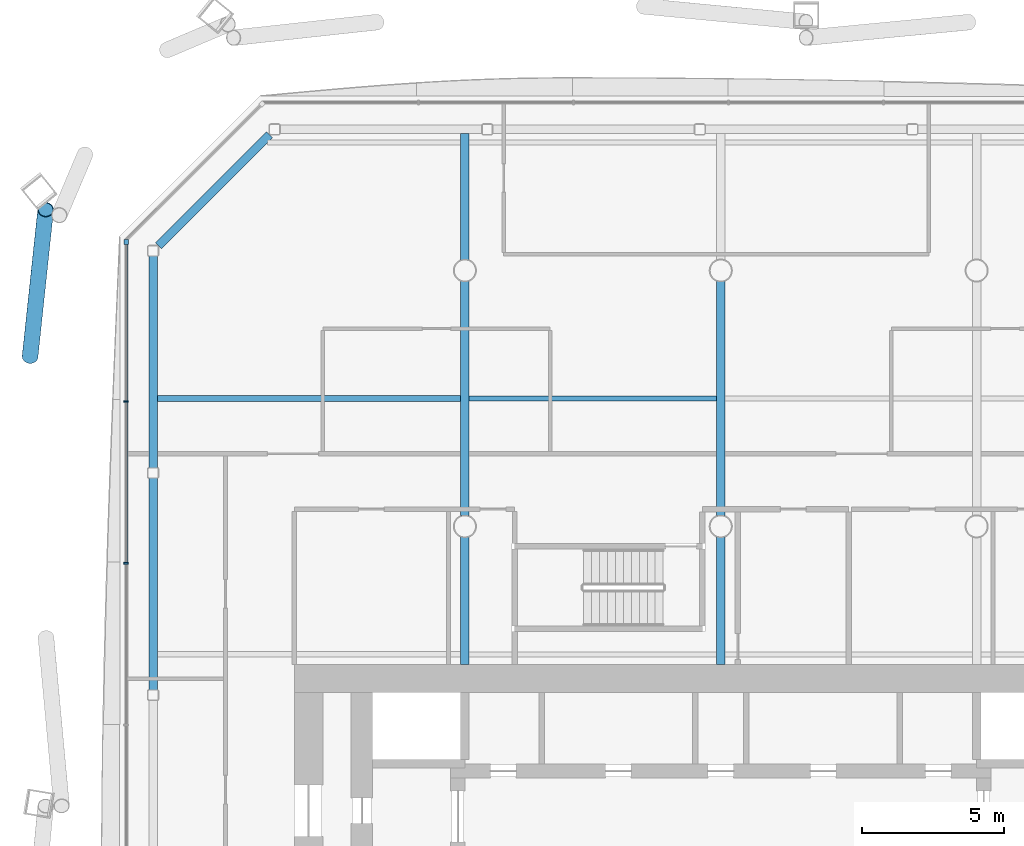
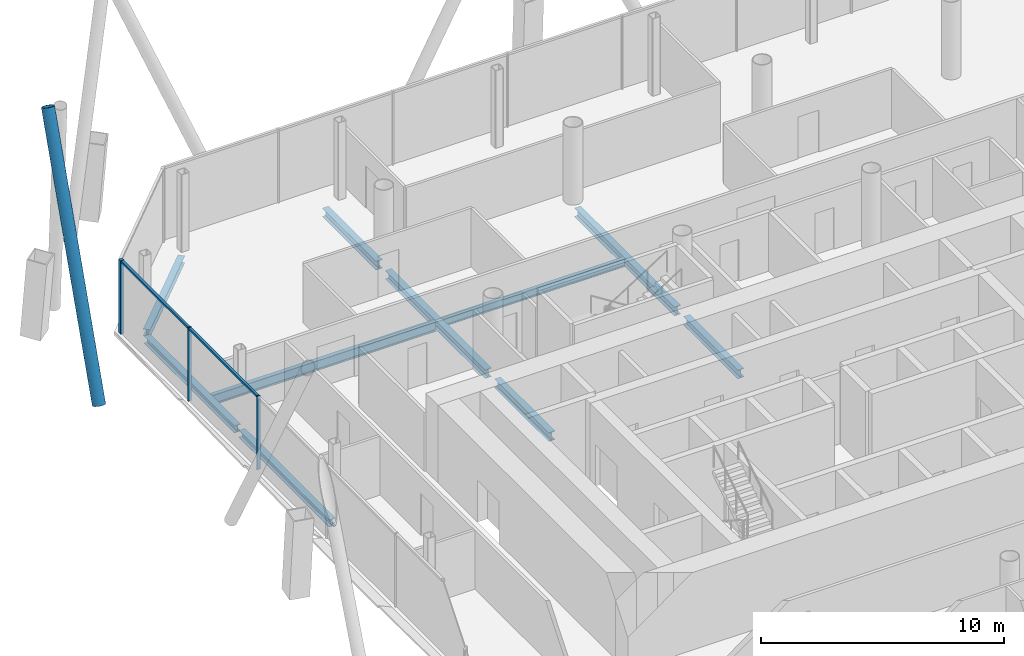
# One storey, part 9 of 22: 10 beams, 6 members, 1 element without a shape of its own.
"""IFC4 building model written with IfcOpenShell, lengths in metres."""

from ifc_helpers import new_model, si_unit, direction, frame, origin, origin_2d, place, context, subcontext, project, spatial, rectangle, hollow_circle, i_section, extrude, material, material_profile, profile_set, type_object, element, aggregate, save


model = new_model("IFC4")

# Units and contexts
model_context = context("Model", 3, precision=1e-05, world=origin(), true_north=direction((0.0, 1.0)))
body_context = subcontext(model_context, "Body", "Model", "MODEL_VIEW")
ifc_project = project(units=[si_unit("LENGTHUNIT", "METRE"), si_unit("AREAUNIT", "SQUARE_METRE"), si_unit("VOLUMEUNIT", "CUBIC_METRE"), si_unit("PLANEANGLEUNIT", "RADIAN"), si_unit("MASSUNIT", "GRAM", prefix="KILO")], contexts=[model_context])

# Site, building, storey
site_placement = place(None, origin())
site = spatial("IfcSite", under=ifc_project, at=site_placement, CompositionType="ELEMENT")
building_placement = place(site_placement, origin())
building = spatial("IfcBuilding", under=site, at=building_placement, Name="Tskaro Facet Tower", CompositionType="ELEMENT")
storey_placement = place(building_placement, frame((0.0, 0.0, 97.199951171875)))
storey = spatial("IfcBuildingStorey", under=building, at=storey_placement, Name="L23", CompositionType="ELEMENT", Elevation=97.199951171875)

# Member
ifc_material_1 = material(Name="Steel S355J2H", Category="steel")
ifc_material_profile_1 = material_profile(ifc_material_1, hollow_circle(Radius=0.279541015625, WallThickness=0.02490234375, at=origin_2d()), Name="CHS 559x25")
ifc_profile_set_1 = profile_set([ifc_material_profile_1], Name="Steel S355J2H")
member_type_1 = type_object("IfcMemberType", Name="CHS 559x25 brace", PredefinedType="BRACE", material=ifc_profile_set_1)
member_1_placement = place(storey_placement, frame((-24.29443359375, 14.986328125, 0.0), z_axis=(0.042811250871, 0.402814951381, 0.914279668232), x_axis=(-0.994399659751, 0.105684987993, 0.0)))
element("IfcMember", 1, at=member_1_placement, inside=storey, type_object=member_type_1, Name="CHS 559x25 XB10B/2", PredefinedType="BRACE", context=body_context, shape_type="SweptSolid", body=[
    extrude(hollow_circle(Radius=0.279541015625, WallThickness=0.02490234375, at=origin_2d()), origin(), (0.0, 0.0, 1.0), 12.796875),
])

# Curtain wall, members
ifc_material_2 = material(Name="Bronze anodised aluminium 6063-T6", Category="aluminium")
curtain_wall_type = type_object("IfcCurtainWallType", Name="Bronze office curtain wall (FW1)", PredefinedType="NOTDEFINED", material=ifc_material_2)
curtain_wall_placement = place(storey_placement, origin())
curtain_wall = element("IfcCurtainWall", 2, at=curtain_wall_placement, inside=storey, type_object=curtain_wall_type, Name="FW1 west facet L23", PredefinedType="NOTDEFINED")
ifc_material_profile_2 = material_profile(ifc_material_2, rectangle(XDim=0.159912109375, YDim=0.159912109375, at=origin_2d()), Name="Corner post 160x160")
ifc_profile_set_2 = profile_set([ifc_material_profile_2], Name="Bronze anodised aluminium 6063-T6")
member_type_2 = type_object("IfcMemberType", Name="FW1 bronze corner post 160x160", PredefinedType="MULLION", material=ifc_profile_set_2)
member_2_placement = place(storey_placement, frame((-20.9150390625, 19.0029296875, 0.0), z_axis=(0.0, 0.0, 1.0), x_axis=(0.0, -1.0, 0.0)))
member_2 = element("IfcMember", 3, at=member_2_placement, type_object=member_type_2, Name="FW1 west corner post", PredefinedType="MULLION", context=body_context, shape_type="SweptSolid", body=[
    extrude(rectangle(XDim=0.159912109375, YDim=0.159912109375, at=origin_2d()), origin(), (0.0, 0.0, 1.0), 3.699951171875),
])
ifc_material_profile_3 = material_profile(ifc_material_2, rectangle(XDim=0.06005859375, YDim=0.159912109375, at=origin_2d()), Name="Mullion 60x160")
ifc_profile_set_3 = profile_set([ifc_material_profile_3], Name="Bronze anodised aluminium 6063-T6")
member_type_3 = type_object("IfcMemberType", Name="FW1 bronze mullion 60x160", PredefinedType="MULLION", material=ifc_profile_set_3)
member_3_placement = place(storey_placement, frame((-20.9150390625, 13.3916015625, 0.0), z_axis=(0.0, 0.0, 1.0), x_axis=(0.0, -1.0, 0.0)))
member_3 = element("IfcMember", 4, at=member_3_placement, type_object=member_type_3, Name="FW1 west mullion 1", PredefinedType="MULLION", context=body_context, shape_type="SweptSolid", body=[
    extrude(rectangle(XDim=0.06005859375, YDim=0.159912109375, at=origin_2d()), origin(), (0.0, 0.0, 1.0), 3.699951171875),
])
member_4_placement = place(storey_placement, frame((-20.9150390625, 7.7001953125, 0.0), z_axis=(0.0, 0.0, 1.0), x_axis=(0.0, -1.0, 0.0)))
member_4 = element("IfcMember", 5, at=member_4_placement, type_object=member_type_3, Name="FW1 west mullion 2", PredefinedType="MULLION", context=body_context, shape_type="SweptSolid", body=[
    extrude(rectangle(XDim=0.06005859375, YDim=0.159912109375, at=origin_2d()), origin(), (0.0, 0.0, 1.0), 3.699951171875),
])
ifc_material_profile_4 = material_profile(ifc_material_2, rectangle(XDim=0.1201171875, YDim=0.10009765625, at=origin_2d()), Name="Transom 120x100")
ifc_profile_set_4 = profile_set([ifc_material_profile_4], Name="Bronze anodised aluminium 6063-T6")
member_type_4 = type_object("IfcMemberType", Name="FW1 bronze transom 120x100", PredefinedType="USERDEFINED", material=ifc_profile_set_4)
member_5_placement = place(storey_placement, frame((-20.9150390625, 18.923095703125, 3.650146484375), z_axis=(0.0, -1.0, 0.0), x_axis=(1.0, 0.0, 0.0)))
member_5 = element("IfcMember", 6, at=member_5_placement, type_object=member_type_4, Name="FW1 west transom 1.1", ObjectType="TRANSOM", PredefinedType="USERDEFINED", context=body_context, shape_type="SweptSolid", body=[
    extrude(rectangle(XDim=0.1201171875, YDim=0.10009765625, at=origin_2d()), origin(), (0.0, 0.0, 1.0), 5.50146484375),
])
member_6_placement = place(storey_placement, frame((-20.9150390625, 13.361572265625, 3.650146484375), z_axis=(0.0, -1.0, 0.0), x_axis=(1.0, 0.0, 0.0)))
member_6 = element("IfcMember", 7, at=member_6_placement, type_object=member_type_4, Name="FW1 west transom 2.1", ObjectType="TRANSOM", PredefinedType="USERDEFINED", context=body_context, shape_type="SweptSolid", body=[
    extrude(rectangle(XDim=0.1201171875, YDim=0.10009765625, at=origin_2d()), origin(), (0.0, 0.0, 1.0), 5.63134765625),
])
aggregate(curtain_wall, [member_2, member_3, member_4, member_5, member_6])

# Beams
ifc_material_3 = material(Name="Steel S355J2", Category="steel")
ifc_material_profile_5 = material_profile(ifc_material_3, i_section(OverallWidth=0.300048828125, OverallDepth=0.360107421875, WebThickness=0.012451171875, FlangeThickness=0.0224609375, FilletRadius=0.027099609375, at=origin_2d()), Name="HE 360 B")
ifc_profile_set_5 = profile_set([ifc_material_profile_5], Name="Steel S355J2")
beam_type_1 = type_object("IfcBeamType", Name="HE 360 B ring beam", PredefinedType="BEAM", material=ifc_profile_set_5)
beam_1_placement = place(storey_placement, frame((-15.8759765625, 22.779052734375, -0.320068359375), z_axis=(-0.707106781187, -0.707106781187, 0.0), x_axis=(0.707106781187, -0.707106781187, 0.0)))
element("IfcBeam", 8, at=beam_1_placement, inside=storey, type_object=beam_type_1, Name="HE 360 B EB18-2", PredefinedType="BEAM", context=body_context, shape_type="SweptSolid", body=[
    extrude(i_section(OverallWidth=0.300048828125, OverallDepth=0.360107421875, WebThickness=0.012451171875, FlangeThickness=0.0224609375, FilletRadius=0.027099609375, at=origin_2d()), origin(), (0.0, 0.0, 1.0), 5.519775390625),
])
for number, where, z_axis, x_axis, name in (
    (9, (-19.965087890625, 18.510009765625, -0.320068359375), (0.0, -1.0, 0.0), (1.0, 0.0, 0.0), "HE 360 B EB19-2"),
    (10, (-19.965087890625, 10.698974609375, -0.320068359375), (0.0, -1.0, 0.0), (1.0, 0.0, 0.0), "HE 360 B EB20-2"),
):
    element("IfcBeam", number, at=place(storey_placement, frame(where, z_axis=z_axis, x_axis=x_axis)), inside=storey, type_object=beam_type_1, Name=name, PredefinedType="BEAM", context=body_context, shape_type="SweptSolid", body=[
        extrude(i_section(OverallWidth=0.300048828125, OverallDepth=0.360107421875, WebThickness=0.012451171875, FlangeThickness=0.0224609375, FilletRadius=0.027099609375, at=origin_2d()), origin(), (0.0, 0.0, 1.0), 7.450927734375),
    ])
ifc_material_profile_6 = material_profile(ifc_material_3, i_section(OverallWidth=0.300048828125, OverallDepth=0.43994140625, WebThickness=0.011474609375, FlangeThickness=0.02099609375, FilletRadius=0.027099609375, at=origin_2d()), Name="HE 450 A")
ifc_profile_set_6 = profile_set([ifc_material_profile_6], Name="Steel S355J2")
beam_type_2 = type_object("IfcBeamType", Name="HE 450 A girder", PredefinedType="BEAM", material=ifc_profile_set_6)
beam_2_placement = place(storey_placement, frame((-9.0, 4.14990234375, -0.35986328125), z_axis=(0.0, 1.0, 0.0), x_axis=(-1.0, 0.0, 0.0)))
element("IfcBeam", 11, at=beam_2_placement, inside=storey, type_object=beam_type_2, Name="HE 450 A GB3-3-2", PredefinedType="BEAM", context=body_context, shape_type="SweptSolid", body=[
    extrude(i_section(OverallWidth=0.300048828125, OverallDepth=0.43994140625, WebThickness=0.011474609375, FlangeThickness=0.02099609375, FilletRadius=0.027099609375, at=origin_2d()), origin(), (0.0, 0.0, 1.0), 4.4736328125),
])
beam_3_placement = place(storey_placement, frame((-9.0, 9.37646484375, -0.35986328125), z_axis=(0.0, 1.0, 0.0), x_axis=(-1.0, 0.0, 0.0)))
element("IfcBeam", 12, at=beam_3_placement, inside=storey, type_object=beam_type_2, Name="HE 450 A GB3-4-2", PredefinedType="BEAM", context=body_context, shape_type="SweptSolid", body=[
    extrude(i_section(OverallWidth=0.300048828125, OverallDepth=0.43994140625, WebThickness=0.011474609375, FlangeThickness=0.02099609375, FilletRadius=0.027099609375, at=origin_2d()), origin(), (0.0, 0.0, 1.0), 8.2470703125),
])
beam_4_placement = place(storey_placement, frame((-9.0, 18.37646484375, -0.35986328125), z_axis=(0.0, 1.0, 0.0), x_axis=(-1.0, 0.0, 0.0)))
element("IfcBeam", 13, at=beam_4_placement, inside=storey, type_object=beam_type_2, Name="HE 450 A GB3-5-2", PredefinedType="BEAM", context=body_context, shape_type="SweptSolid", body=[
    extrude(i_section(OverallWidth=0.300048828125, OverallDepth=0.43994140625, WebThickness=0.011474609375, FlangeThickness=0.02099609375, FilletRadius=0.027099609375, at=origin_2d()), origin(), (0.0, 0.0, 1.0), 4.4384765625),
])
beam_5_placement = place(storey_placement, frame((0.0, 4.14990234375, -0.35986328125), z_axis=(0.0, 1.0, 0.0), x_axis=(-1.0, 0.0, 0.0)))
element("IfcBeam", 14, at=beam_5_placement, inside=storey, type_object=beam_type_2, Name="HE 450 A GB4-3-2", PredefinedType="BEAM", context=body_context, shape_type="SweptSolid", body=[
    extrude(i_section(OverallWidth=0.300048828125, OverallDepth=0.43994140625, WebThickness=0.011474609375, FlangeThickness=0.02099609375, FilletRadius=0.027099609375, at=origin_2d()), origin(), (0.0, 0.0, 1.0), 4.4736328125),
])
beam_6_placement = place(storey_placement, frame((0.0, 9.37646484375, -0.35986328125), z_axis=(0.0, 1.0, 0.0), x_axis=(-1.0, 0.0, 0.0)))
element("IfcBeam", 15, at=beam_6_placement, inside=storey, type_object=beam_type_2, Name="HE 450 A GB4-4-2", PredefinedType="BEAM", context=body_context, shape_type="SweptSolid", body=[
    extrude(i_section(OverallWidth=0.300048828125, OverallDepth=0.43994140625, WebThickness=0.011474609375, FlangeThickness=0.02099609375, FilletRadius=0.027099609375, at=origin_2d()), origin(), (0.0, 0.0, 1.0), 8.2470703125),
])
ifc_material_profile_7 = material_profile(ifc_material_3, i_section(OverallWidth=0.179931640625, OverallDepth=0.39990234375, WebThickness=0.008544921875, FlangeThickness=0.013427734375, FilletRadius=0.02099609375, at=origin_2d()), Name="IPE 400")
ifc_profile_set_7 = profile_set([ifc_material_profile_7], Name="Steel S355J2")
beam_type_3 = type_object("IfcBeamType", Name="IPE 400 secondary beam", PredefinedType="BEAM", material=ifc_profile_set_7)
beam_7_placement = place(storey_placement, frame((-8.85009765625, 13.5, -0.33984375), z_axis=(1.0, 0.0, 0.0), x_axis=(0.0, 1.0, 0.0)))
element("IfcBeam", 16, at=beam_7_placement, inside=storey, type_object=beam_type_3, Name="IPE 400 SB5a-2-2", PredefinedType="BEAM", context=body_context, shape_type="SweptSolid", body=[
    extrude(i_section(OverallWidth=0.179931640625, OverallDepth=0.39990234375, WebThickness=0.008544921875, FlangeThickness=0.013427734375, FilletRadius=0.02099609375, at=origin_2d()), origin(), (0.0, 0.0, 1.0), 8.7001953125),
])
ifc_material_profile_8 = material_profile(ifc_material_3, i_section(OverallWidth=0.199951171875, OverallDepth=0.5, WebThickness=0.01025390625, FlangeThickness=0.01611328125, FilletRadius=0.02099609375, at=origin_2d()), Name="IPE 500")
ifc_profile_set_8 = profile_set([ifc_material_profile_8], Name="Steel S355J2")
beam_type_4 = type_object("IfcBeamType", Name="IPE 500 long secondary beam", PredefinedType="BEAM", material=ifc_profile_set_8)
beam_8_placement = place(storey_placement, frame((-19.81494140625, 13.5, -0.389892578125), z_axis=(1.0, 0.0, 0.0), x_axis=(0.0, 1.0, 0.0)))
element("IfcBeam", 17, at=beam_8_placement, inside=storey, type_object=beam_type_4, Name="IPE 500 LSB5a-1-2", PredefinedType="BEAM", context=body_context, shape_type="SweptSolid", body=[
    extrude(i_section(OverallWidth=0.199951171875, OverallDepth=0.5, WebThickness=0.01025390625, FlangeThickness=0.01611328125, FilletRadius=0.02099609375, at=origin_2d()), origin(), (0.0, 0.0, 1.0), 10.6650390625),
])

save(model, "model.ifc")
